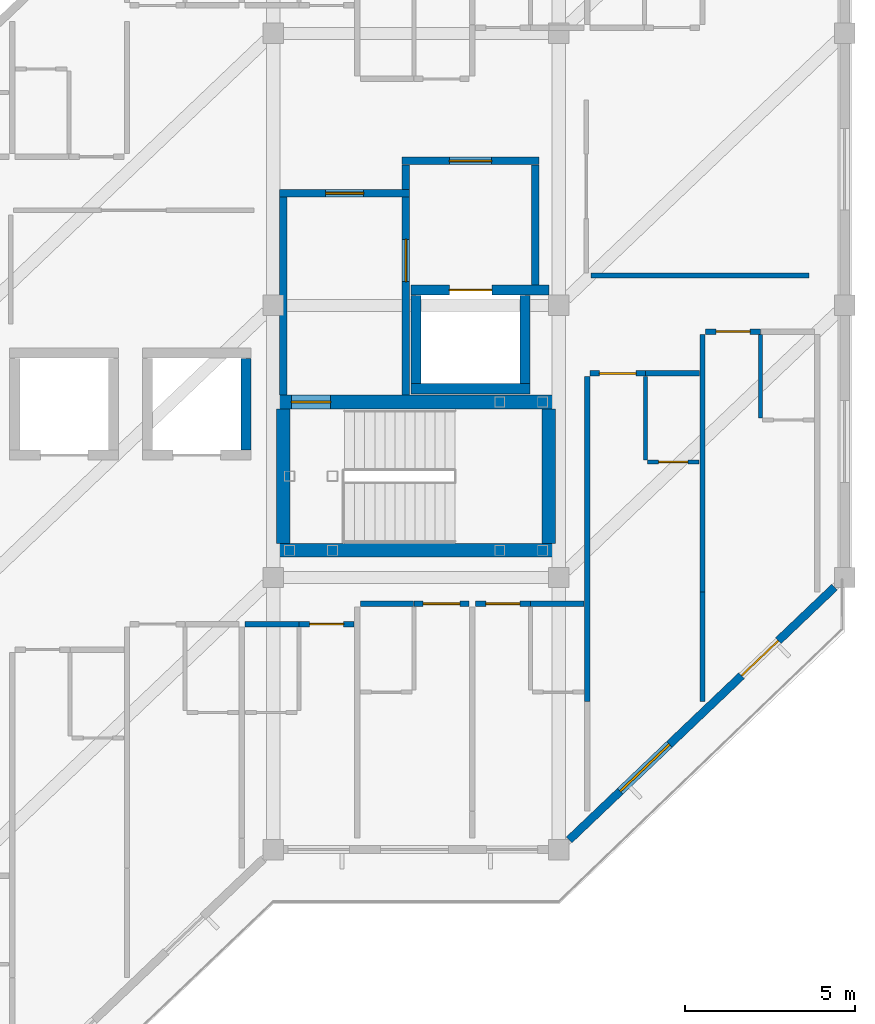
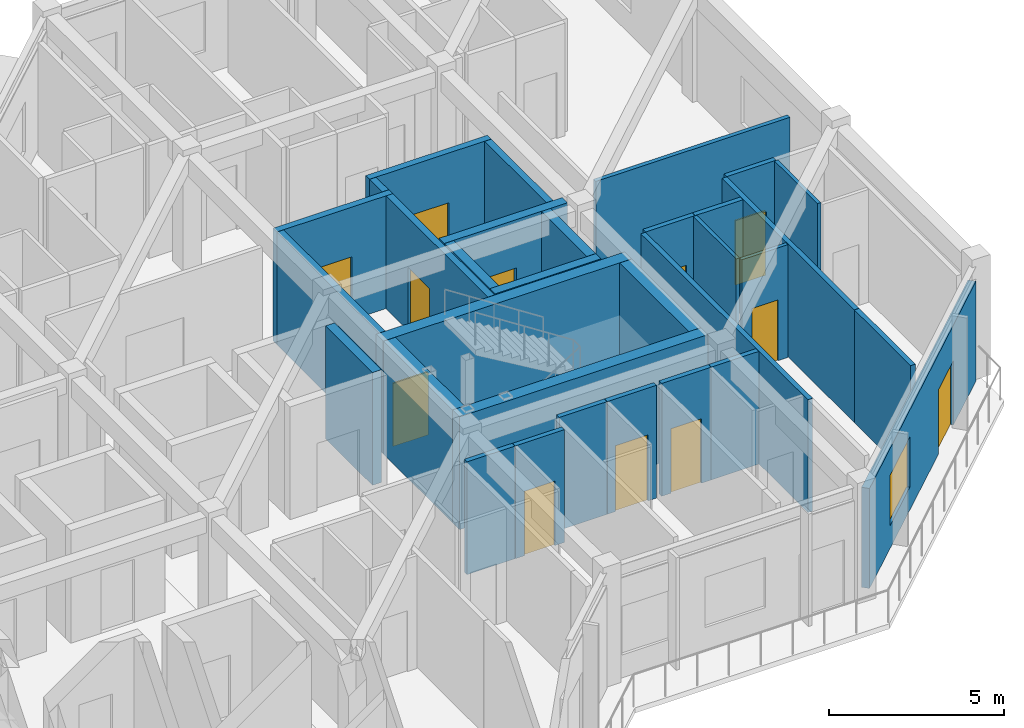
# One storey, part 8 of 13: 32 walls, 12 doors, 1 window, 13 openings.
"""IFC4 building model written with IfcOpenShell, lengths in metres."""

from ifc_helpers import new_model, si_unit, direction, frame, frame_2d, origin, place, context, subcontext, project, spatial, rectangle, extrude, material, layer, layer_set, type_object, element, fill, save


model = new_model("IFC4")

# Units and contexts
model_context = context("Model", 3, precision=1e-05, world=origin(), true_north=direction((0.0, 1.0)))
body_context = subcontext(model_context, "Body", "Model", "MODEL_VIEW")
ifc_project = project(units=[si_unit("LENGTHUNIT", "METRE"), si_unit("AREAUNIT", "SQUARE_METRE"), si_unit("VOLUMEUNIT", "CUBIC_METRE"), si_unit("PLANEANGLEUNIT", "RADIAN"), si_unit("MASSUNIT", "GRAM", prefix="KILO")], contexts=[model_context])

# Site, building, storey
site_placement = place(None, origin())
site = spatial("IfcSite", under=ifc_project, at=site_placement, CompositionType="ELEMENT")
building_placement = place(site_placement, origin())
building = spatial("IfcBuilding", under=site, at=building_placement, Name="Naruveol Harbour Congress Hotel", CompositionType="ELEMENT")
storey_placement = place(building_placement, frame((0.0, 0.0, 43.199951171875)))
storey = spatial("IfcBuildingStorey", under=building, at=storey_placement, Name="L10", CompositionType="ELEMENT", Elevation=43.199951171875)

# Walls
ifc_material_1 = material(Name="Acoustic Double Stud Gypsum", Category="gypsum")
ifc_layer_1 = layer(ifc_material_1, 0.139892578125)
ifc_layer_set_1 = layer_set([ifc_layer_1], Name="Acoustic Double Stud Gypsum")
wall_type_1 = type_object("IfcWallType", Name="ACOUSTIC MEETING PARTITION WALL 140", PredefinedType="PARTITIONING", material=ifc_layer_set_1)
wall_1_placement = place(storey_placement, frame((160.5400390625, 24.8798828125, 0.0), z_axis=(0.0, 0.0, 1.0), x_axis=(1.0, 0.0, 0.0)))
element("IfcWall", 1, at=wall_1_placement, inside=storey, type_object=wall_type_1, Name="Embassy Reception Salon south partition PW-140", PredefinedType="PARTITIONING", context=body_context, shape_type="SweptSolid", body=[
    extrude(rectangle(XDim=6.409912109375, YDim=0.139892578125, at=frame_2d((3.205078125, 0.0))), origin(), (0.0, 0.0, 1.0), 3.93505859375),
])
ifc_material_2 = material(Name="Moisture-Resistant Gypsum Partition", Category="gypsum")
ifc_layer_2 = layer(ifc_material_2, 0.114990234375)
ifc_layer_set_2 = layer_set([ifc_layer_2], Name="Moisture-Resistant Gypsum Partition")
wall_type_2 = type_object("IfcWallType", Name="BATHROOM MOISTURE PARTITION WALL 115", PredefinedType="PARTITIONING", material=ifc_layer_set_2)
wall_2_placement = place(storey_placement, frame((162.139892578125, 19.4599609375, 0.0), z_axis=(0.0, 0.0, 1.0), x_axis=(0.0, 1.0, 0.0)))
element("IfcWall", 2, at=wall_2_placement, inside=storey, type_object=wall_type_2, Name="Bathroom west wall 1191 PW-115", PredefinedType="PARTITIONING", context=body_context, shape_type="SweptSolid", body=[
    extrude(rectangle(XDim=2.449951171875, YDim=0.114990234375, at=frame_2d((1.22509765625, 0.0))), origin(), (0.0, 0.0, 1.0), 3.93505859375),
])

# Wall, opening, door
wall_3_placement = place(storey_placement, frame((162.199951171875, 19.39990234375, 0.0), z_axis=(0.0, 0.0, 1.0), x_axis=(1.0, 0.0, 0.0)))
wall_3 = element("IfcWall", 3, at=wall_3_placement, inside=storey, type_object=wall_type_2, Name="Bathroom south wall 1191 PW-115", PredefinedType="PARTITIONING", context=body_context, shape_type="SweptSolid", body=[
    extrude(rectangle(XDim=1.52001953125, YDim=0.114990234375, at=frame_2d((0.760009765625, 0.0))), origin(), (0.0, 0.0, 1.0), 3.93505859375),
])
opening_1_placement = place(wall_3_placement, frame((0.330078125, 0.0, 0.0)))
opening_1 = element("IfcOpeningElement", 4, at=opening_1_placement, cuts=wall_3, Name="Opening BD-RM1191", PredefinedType="OPENING", context=body_context, shape_type="SweptSolid", body=[
    extrude(rectangle(XDim=0.860107421875, YDim=2.1201171875, at=frame_2d((0.43017578125, 1.06005859375))), frame((0.0, 0.0673828125, 0.0), z_axis=(0.0, -1.0, 0.0), x_axis=(1.0, 0.0, 0.0)), (0.0, 0.0, 1.0), 0.135009765625),
])
ifc_material_3 = material(Name="Timber & Steel Acoustic Leaf", Category="steel")
door_type_1 = type_object("IfcDoorType", Name="GUEST BATHROOM DOOR 860X2120", OperationType="NOTDEFINED", PredefinedType="DOOR", material=ifc_material_3)
door_1_placement = place(opening_1_placement, origin())
door_1 = element("IfcDoor", 5, at=door_1_placement, inside=storey, type_object=door_type_1, Name="Bathroom Door 1191", OperationType="SINGLE_SWING_RIGHT", OverallHeight=2.1201171875, OverallWidth=0.860107421875, PredefinedType="DOOR", context=body_context, shape_type="SweptSolid", body=[
    extrude(rectangle(XDim=0.860107421875, YDim=2.1201171875, at=frame_2d((0.43017578125, 1.06005859375))), frame((0.0, 0.02490234375, 0.0), z_axis=(0.0, -1.0, 0.0), x_axis=(1.0, 0.0, 0.0)), (0.0, 0.0, 1.0), 0.050048828125),
])
fill(opening_1, door_1)

# Walls
wall_4_placement = place(storey_placement, frame((165.530029296875, 20.68994140625, 0.0), z_axis=(0.0, 0.0, 1.0), x_axis=(0.0, 1.0, 0.0)))
element("IfcWall", 6, at=wall_4_placement, inside=storey, type_object=wall_type_2, Name="Bathroom west wall 1192 PW-115", PredefinedType="PARTITIONING", context=body_context, shape_type="SweptSolid", body=[
    extrude(rectangle(XDim=2.449951171875, YDim=0.114990234375, at=frame_2d((1.22509765625, 0.0))), origin(), (0.0, 0.0, 1.0), 3.93505859375),
])
ifc_material_4 = material(Name="Concrete C40/50", Category="concrete")
ifc_layer_3 = layer(ifc_material_4, 0.219970703125)
ifc_layer_set_3 = layer_set([ifc_layer_3], Name="Concrete C40/50")
wall_type_3 = type_object("IfcWallType", Name="FIRE COMPARTMENT AND LOBBY WALL 220 EI120", PredefinedType="PARTITIONING", material=ifc_layer_set_3)
wall_5_placement = place(storey_placement, frame((151.5, 21.364990234375, 0.0), z_axis=(0.0, 0.0, 1.0), x_axis=(0.0, 1.0, 0.0)))
element("IfcWall", 7, at=wall_5_placement, inside=storey, type_object=wall_type_3, Name="Smoke vestibule ST2 west wall FW-220", PredefinedType="PARTITIONING", context=body_context, shape_type="SweptSolid", body=[
    extrude(rectangle(XDim=5.820068359375, YDim=0.219970703125, at=frame_2d((2.91015625, 0.0))), origin(), (0.0, 0.0, 1.0), 3.93505859375),
])

# Wall, opening, door
wall_6_placement = place(storey_placement, frame((151.389892578125, 27.300048828125, 0.0), z_axis=(0.0, 0.0, 1.0), x_axis=(1.0, 0.0, 0.0)))
wall_6 = element("IfcWall", 8, at=wall_6_placement, inside=storey, type_object=wall_type_3, Name="Smoke vestibule ST2 north wall FW-220", PredefinedType="PARTITIONING", context=body_context, shape_type="SweptSolid", body=[
    extrude(rectangle(XDim=3.820068359375, YDim=0.219970703125, at=frame_2d((1.91015625, 0.0))), origin(), (0.0, 0.0, 1.0), 3.93505859375),
])
opening_2_placement = place(wall_6_placement, frame((1.35009765625, 0.0, 0.0)))
opening_2 = element("IfcOpeningElement", 9, at=opening_2_placement, cuts=wall_6, Name="Opening FD-ST2-V-L10", PredefinedType="OPENING", context=body_context, shape_type="SweptSolid", body=[
    extrude(rectangle(XDim=1.1201171875, YDim=2.199951171875, at=frame_2d((0.56005859375, 1.10009765625))), frame((0.0, 0.119873046875, 0.0), z_axis=(0.0, -1.0, 0.0), x_axis=(1.0, 0.0, 0.0)), (0.0, 0.0, 1.0), 0.239990234375),
])
ifc_material_5 = material(Name="Timber & Steel Acoustic Leaf", Category="steel")
door_type_2 = type_object("IfcDoorType", Name="VESTIBULE SMOKE CONTROL FIRE DOOR 1120X2200", OperationType="NOTDEFINED", PredefinedType="DOOR", material=ifc_material_5)
door_2_placement = place(opening_2_placement, origin())
door_2 = element("IfcDoor", 10, at=door_2_placement, inside=storey, type_object=door_type_2, Name="Smoke Vestibule Entry Door ST2 L10", OperationType="SINGLE_SWING_LEFT", OverallHeight=2.199951171875, OverallWidth=1.1201171875, PredefinedType="DOOR", context=body_context, shape_type="SweptSolid", body=[
    extrude(rectangle(XDim=1.1201171875, YDim=2.199951171875, at=frame_2d((0.56005859375, 1.10009765625))), frame((0.0, 0.02490234375, 0.0), z_axis=(0.0, -1.0, 0.0), x_axis=(1.0, 0.0, 0.0)), (0.0, 0.0, 1.0), 0.050048828125),
])
fill(opening_2, door_2)

wall_7_placement = place(storey_placement, frame((155.10009765625, 21.364990234375, 0.0), z_axis=(0.0, 0.0, 1.0), x_axis=(0.0, 1.0, 0.0)))
wall_7 = element("IfcWall", 11, at=wall_7_placement, inside=storey, type_object=wall_type_3, Name="Smoke vestibule ST2 east wall FW-220", PredefinedType="PARTITIONING", context=body_context, shape_type="SweptSolid", body=[
    extrude(rectangle(XDim=5.820068359375, YDim=0.219970703125, at=frame_2d((2.91015625, 0.0))), origin(), (0.0, 0.0, 1.0), 3.93505859375),
])
opening_3_placement = place(wall_7_placement, frame((3.3349609375, 0.0, 0.0)))
opening_3 = element("IfcOpeningElement", 12, at=opening_3_placement, cuts=wall_7, Name="Opening FD-FFL-ST2-L10", PredefinedType="OPENING", context=body_context, shape_type="SweptSolid", body=[
    extrude(rectangle(XDim=1.239990234375, YDim=2.199951171875, at=frame_2d((0.6201171875, 1.10009765625))), frame((0.0, 0.119873046875, 0.0), z_axis=(0.0, -1.0, 0.0), x_axis=(1.0, 0.0, 0.0)), (0.0, 0.0, 1.0), 0.239990234375),
])
ifc_material_6 = material(Name="Timber & Steel Acoustic Leaf", Category="steel")
door_type_3 = type_object("IfcDoorType", Name="FIREFIGHTING LOBBY FIRE DOOR 1240X2200", OperationType="NOTDEFINED", PredefinedType="DOOR", material=ifc_material_6)
door_3_placement = place(opening_3_placement, origin())
door_3 = element("IfcDoor", 13, at=door_3_placement, inside=storey, type_object=door_type_3, Name="Firefighting Lobby Vestibule Door ST2 L10", OperationType="SINGLE_SWING_RIGHT", OverallHeight=2.199951171875, OverallWidth=1.239990234375, PredefinedType="DOOR", context=body_context, shape_type="SweptSolid", body=[
    extrude(rectangle(XDim=1.239990234375, YDim=2.199951171875, at=frame_2d((0.6201171875, 1.10009765625))), frame((0.0, 0.02490234375, 0.0), z_axis=(0.0, -1.0, 0.0), x_axis=(1.0, 0.0, 0.0)), (0.0, 0.0, 1.0), 0.050048828125),
])
fill(opening_3, door_3)

# Walls
wall_8_placement = place(storey_placement, frame((155.10009765625, 27.4150390625, 0.0), z_axis=(0.0, 0.0, 1.0), x_axis=(0.0, 1.0, 0.0)))
element("IfcWall", 14, at=wall_8_placement, inside=storey, type_object=wall_type_3, Name="Firefighting lift lobby ST2 upper west wall FW-220", PredefinedType="PARTITIONING", context=body_context, shape_type="SweptSolid", body=[
    extrude(rectangle(XDim=0.719970703125, YDim=0.219970703125, at=frame_2d((0.35986328125, 0.0))), origin(), (0.0, 0.0, 1.0), 3.93505859375),
])
wall_9_placement = place(storey_placement, frame((158.89990234375, 24.60498046875, 0.0), z_axis=(0.0, 0.0, 1.0), x_axis=(0.0, 1.0, 0.0)))
element("IfcWall", 15, at=wall_9_placement, inside=storey, type_object=wall_type_3, Name="Firefighting lift lobby ST2 east wall FW-220", PredefinedType="PARTITIONING", context=body_context, shape_type="SweptSolid", body=[
    extrude(rectangle(XDim=3.530029296875, YDim=0.219970703125, at=frame_2d((1.76513671875, 0.0))), origin(), (0.0, 0.0, 1.0), 3.93505859375),
])

# Wall, opening, door
wall_10_placement = place(storey_placement, frame((154.989990234375, 28.25, 0.0), z_axis=(0.0, 0.0, 1.0), x_axis=(1.0, 0.0, 0.0)))
wall_10 = element("IfcWall", 16, at=wall_10_placement, inside=storey, type_object=wall_type_3, Name="Firefighting lift lobby ST2 north wall FW-220", PredefinedType="PARTITIONING", context=body_context, shape_type="SweptSolid", body=[
    extrude(rectangle(XDim=4.02001953125, YDim=0.219970703125, at=frame_2d((2.010009765625, 0.0))), origin(), (0.0, 0.0, 1.0), 3.93505859375),
])
opening_4_placement = place(wall_10_placement, frame((1.389892578125, 0.0, 0.0)))
opening_4 = element("IfcOpeningElement", 17, at=opening_4_placement, cuts=wall_10, Name="Opening FD-FFC-ST2-L10", PredefinedType="OPENING", context=body_context, shape_type="SweptSolid", body=[
    extrude(rectangle(XDim=1.239990234375, YDim=2.199951171875, at=frame_2d((0.6201171875, 1.10009765625))), frame((0.0, 0.119873046875, 0.0), z_axis=(0.0, -1.0, 0.0), x_axis=(1.0, 0.0, 0.0)), (0.0, 0.0, 1.0), 0.239990234375),
])
door_4_placement = place(opening_4_placement, origin())
door_4 = element("IfcDoor", 18, at=door_4_placement, inside=storey, type_object=door_type_3, Name="Firefighting Lobby Corridor Door ST2 L10", OperationType="SINGLE_SWING_LEFT", OverallHeight=2.199951171875, OverallWidth=1.239990234375, PredefinedType="DOOR", context=body_context, shape_type="SweptSolid", body=[
    extrude(rectangle(XDim=1.239990234375, YDim=2.199951171875, at=frame_2d((0.6201171875, 1.10009765625))), frame((0.0, 0.02490234375, 0.0), z_axis=(0.0, -1.0, 0.0), x_axis=(1.0, 0.0, 0.0)), (0.0, 0.0, 1.0), 0.050048828125),
])
fill(opening_4, door_4)

# Wall
ifc_material_7 = material(Name="Autoclaved Aerated Concrete Block", Category="concrete")
ifc_layer_4 = layer(ifc_material_7, 0.159912109375)
ifc_layer_set_4 = layer_set([ifc_layer_4], Name="Autoclaved Aerated Concrete Block")
wall_type_4 = type_object("IfcWallType", Name="HOTEL PARTY AND CORRIDOR WALL 160 EI60", PredefinedType="PARTITIONING", material=ifc_layer_set_4)
wall_11_placement = place(storey_placement, frame((150.3701171875, 14.6298828125, 0.0), z_axis=(0.0, 0.0, 1.0), x_axis=(1.0, 0.0, 0.0)))
element("IfcWall", 19, at=wall_11_placement, inside=storey, type_object=wall_type_4, Name="Corridor wall 1188B PW-160", PredefinedType="PARTITIONING", context=body_context, shape_type="SweptSolid", body=[
    extrude(rectangle(XDim=1.579833984375, YDim=0.159912109375, at=frame_2d((0.7900390625, 0.0))), origin(), (0.0, 0.0, 1.0), 3.93505859375),
])

# Wall, opening, door
wall_12_placement = place(storey_placement, frame((151.9599609375, 14.6298828125, 0.0), z_axis=(0.0, 0.0, 1.0), x_axis=(1.0, 0.0, 0.0)))
wall_12 = element("IfcWall", 20, at=wall_12_placement, inside=storey, type_object=wall_type_4, Name="Corridor entry wall 1188 PW-160", PredefinedType="PARTITIONING", context=body_context, shape_type="SweptSolid", body=[
    extrude(rectangle(XDim=1.6201171875, YDim=0.159912109375, at=frame_2d((0.81005859375, 0.0))), origin(), (0.0, 0.0, 1.0), 3.93505859375),
])
opening_5_placement = place(wall_12_placement, frame((0.31005859375, 0.0, 0.0)))
opening_5 = element("IfcOpeningElement", 21, at=opening_5_placement, cuts=wall_12, Name="Opening FD-RM1188", PredefinedType="OPENING", context=body_context, shape_type="SweptSolid", body=[
    extrude(rectangle(XDim=1.0, YDim=2.25, at=frame_2d((0.5, 1.125))), frame((0.0, 0.08984375, 0.0), z_axis=(0.0, -1.0, 0.0), x_axis=(1.0, 0.0, 0.0)), (0.0, 0.0, 1.0), 0.179931640625),
])
ifc_material_8 = material(Name="Timber & Steel Acoustic Leaf", Category="steel")
door_type_4 = type_object("IfcDoorType", Name="DELUXE GUEST ENTRANCE FIRE DOOR 1000X2250", OperationType="NOTDEFINED", PredefinedType="DOOR", material=ifc_material_8)
door_5_placement = place(opening_5_placement, origin())
door_5 = element("IfcDoor", 22, at=door_5_placement, inside=storey, type_object=door_type_4, Name="Hotel Room Door 1188", OperationType="SINGLE_SWING_LEFT", OverallHeight=2.25, OverallWidth=1.0, PredefinedType="DOOR", context=body_context, shape_type="SweptSolid", body=[
    extrude(rectangle(XDim=1.0, YDim=2.25, at=frame_2d((0.5, 1.125))), frame((0.0, 0.02490234375, 0.0), z_axis=(0.0, -1.0, 0.0), x_axis=(1.0, 0.0, 0.0)), (0.0, 0.0, 1.0), 0.050048828125),
])
fill(opening_5, door_5)

# Wall
wall_13_placement = place(storey_placement, frame((153.760009765625, 15.22998046875, 0.0), z_axis=(0.0, 0.0, 1.0), x_axis=(1.0, 0.0, 0.0)))
element("IfcWall", 23, at=wall_13_placement, inside=storey, type_object=wall_type_4, Name="Corridor wall 1189B PW-160", PredefinedType="PARTITIONING", context=body_context, shape_type="SweptSolid", body=[
    extrude(rectangle(XDim=1.570068359375, YDim=0.159912109375, at=frame_2d((0.78515625, 0.0))), origin(), (0.0, 0.0, 1.0), 3.93505859375),
])

# Wall, opening, door
wall_14_placement = place(storey_placement, frame((155.340087890625, 15.22998046875, 0.0), z_axis=(0.0, 0.0, 1.0), x_axis=(1.0, 0.0, 0.0)))
wall_14 = element("IfcWall", 24, at=wall_14_placement, inside=storey, type_object=wall_type_4, Name="Corridor entry wall 1189 PW-160", PredefinedType="PARTITIONING", context=body_context, shape_type="SweptSolid", body=[
    extrude(rectangle(XDim=1.619873046875, YDim=0.159912109375, at=frame_2d((0.81005859375, 0.0))), origin(), (0.0, 0.0, 1.0), 3.93505859375),
])
opening_6_placement = place(wall_14_placement, frame((0.27001953125, 0.0, 0.0)))
opening_6 = element("IfcOpeningElement", 25, at=opening_6_placement, cuts=wall_14, Name="Opening FD-RM1189", PredefinedType="OPENING", context=body_context, shape_type="SweptSolid", body=[
    extrude(rectangle(XDim=1.080078125, YDim=2.300048828125, at=frame_2d((0.5400390625, 1.14990234375))), frame((0.0, 0.08984375, 0.0), z_axis=(0.0, -1.0, 0.0), x_axis=(1.0, 0.0, 0.0)), (0.0, 0.0, 1.0), 0.179931640625),
])
ifc_material_9 = material(Name="Timber & Steel Acoustic Leaf", Category="steel")
door_type_5 = type_object("IfcDoorType", Name="SUITE ENTRANCE FIRE DOOR 1080X2300", OperationType="NOTDEFINED", PredefinedType="DOOR", material=ifc_material_9)
door_6_placement = place(opening_6_placement, origin())
door_6 = element("IfcDoor", 26, at=door_6_placement, inside=storey, type_object=door_type_5, Name="Hotel Room Door 1189", OperationType="SINGLE_SWING_LEFT", OverallHeight=2.300048828125, OverallWidth=1.080078125, PredefinedType="DOOR", context=body_context, shape_type="SweptSolid", body=[
    extrude(rectangle(XDim=1.080078125, YDim=2.300048828125, at=frame_2d((0.5400390625, 1.14990234375))), frame((0.0, 0.02490234375, 0.0), z_axis=(0.0, -1.0, 0.0), x_axis=(1.0, 0.0, 0.0)), (0.0, 0.0, 1.0), 0.050048828125),
])
fill(opening_6, door_6)

wall_15_placement = place(storey_placement, frame((157.139892578125, 15.22998046875, 0.0), z_axis=(0.0, 0.0, 1.0), x_axis=(1.0, 0.0, 0.0)))
wall_15 = element("IfcWall", 27, at=wall_15_placement, inside=storey, type_object=wall_type_4, Name="Corridor entry wall 1190 PW-160", PredefinedType="PARTITIONING", context=body_context, shape_type="SweptSolid", body=[
    extrude(rectangle(XDim=1.6201171875, YDim=0.159912109375, at=frame_2d((0.81005859375, 0.0))), origin(), (0.0, 0.0, 1.0), 3.93505859375),
])
opening_7_placement = place(wall_15_placement, frame((0.31005859375, 0.0, 0.0)))
opening_7 = element("IfcOpeningElement", 28, at=opening_7_placement, cuts=wall_15, Name="Opening FD-RM1190", PredefinedType="OPENING", context=body_context, shape_type="SweptSolid", body=[
    extrude(rectangle(XDim=1.0, YDim=2.25, at=frame_2d((0.5, 1.125))), frame((0.0, 0.08984375, 0.0), z_axis=(0.0, -1.0, 0.0), x_axis=(1.0, 0.0, 0.0)), (0.0, 0.0, 1.0), 0.179931640625),
])
door_7_placement = place(opening_7_placement, origin())
door_7 = element("IfcDoor", 29, at=door_7_placement, inside=storey, type_object=door_type_4, Name="Hotel Room Door 1190", OperationType="SINGLE_SWING_LEFT", OverallHeight=2.25, OverallWidth=1.0, PredefinedType="DOOR", context=body_context, shape_type="SweptSolid", body=[
    extrude(rectangle(XDim=1.0, YDim=2.25, at=frame_2d((0.5, 1.125))), frame((0.0, 0.02490234375, 0.0), z_axis=(0.0, -1.0, 0.0), x_axis=(1.0, 0.0, 0.0)), (0.0, 0.0, 1.0), 0.050048828125),
])
fill(opening_7, door_7)

# Wall
wall_16_placement = place(storey_placement, frame((158.77001953125, 15.22998046875, 0.0), z_axis=(0.0, 0.0, 1.0), x_axis=(1.0, 0.0, 0.0)))
element("IfcWall", 30, at=wall_16_placement, inside=storey, type_object=wall_type_4, Name="Corridor wall 1190B PW-160", PredefinedType="PARTITIONING", context=body_context, shape_type="SweptSolid", body=[
    extrude(rectangle(XDim=1.570068359375, YDim=0.159912109375, at=frame_2d((0.78515625, 0.0))), origin(), (0.0, 0.0, 1.0), 3.93505859375),
])

# Wall, opening, door
wall_17_placement = place(storey_placement, frame((160.52001953125, 22.0, 0.0), z_axis=(0.0, 0.0, 1.0), x_axis=(1.0, 0.0, 0.0)))
wall_17 = element("IfcWall", 31, at=wall_17_placement, inside=storey, type_object=wall_type_4, Name="Corridor entry wall 1191 PW-160", PredefinedType="PARTITIONING", context=body_context, shape_type="SweptSolid", body=[
    extrude(rectangle(XDim=1.619873046875, YDim=0.159912109375, at=frame_2d((0.81005859375, 0.0))), origin(), (0.0, 0.0, 1.0), 3.93505859375),
])
opening_8_placement = place(wall_17_placement, frame((0.27001953125, 0.0, 0.0)))
opening_8 = element("IfcOpeningElement", 32, at=opening_8_placement, cuts=wall_17, Name="Opening FD-RM1191", PredefinedType="OPENING", context=body_context, shape_type="SweptSolid", body=[
    extrude(rectangle(XDim=1.080078125, YDim=2.300048828125, at=frame_2d((0.5400390625, 1.14990234375))), frame((0.0, 0.08984375, 0.0), z_axis=(0.0, -1.0, 0.0), x_axis=(1.0, 0.0, 0.0)), (0.0, 0.0, 1.0), 0.179931640625),
])
door_8_placement = place(opening_8_placement, origin())
door_8 = element("IfcDoor", 33, at=door_8_placement, inside=storey, type_object=door_type_5, Name="Hotel Room Door 1191", OperationType="SINGLE_SWING_LEFT", OverallHeight=2.300048828125, OverallWidth=1.080078125, PredefinedType="DOOR", context=body_context, shape_type="SweptSolid", body=[
    extrude(rectangle(XDim=1.080078125, YDim=2.300048828125, at=frame_2d((0.5400390625, 1.14990234375))), frame((0.0, 0.02490234375, 0.0), z_axis=(0.0, -1.0, 0.0), x_axis=(1.0, 0.0, 0.0)), (0.0, 0.0, 1.0), 0.050048828125),
])
fill(opening_8, door_8)

# Walls
wall_18_placement = place(storey_placement, frame((162.14990234375, 22.0, 0.0), z_axis=(0.0, 0.0, 1.0), x_axis=(1.0, 0.0, 0.0)))
element("IfcWall", 34, at=wall_18_placement, inside=storey, type_object=wall_type_4, Name="Corridor wall 1191B PW-160", PredefinedType="PARTITIONING", context=body_context, shape_type="SweptSolid", body=[
    extrude(rectangle(XDim=1.580078125, YDim=0.159912109375, at=frame_2d((0.7900390625, 0.0))), origin(), (0.0, 0.0, 1.0), 3.93505859375),
])
wall_19_placement = place(storey_placement, frame((160.429931640625, 12.360107421875, 0.0), z_axis=(0.0, 0.0, 1.0), x_axis=(0.0, 1.0, 0.0)))
element("IfcWall", 35, at=wall_19_placement, inside=storey, type_object=wall_type_4, Name="Hotel party wall 1191 PW-160", PredefinedType="PARTITIONING", context=body_context, shape_type="SweptSolid", body=[
    extrude(rectangle(XDim=9.5498046875, YDim=0.159912109375, at=frame_2d((4.77490234375, 0.0))), origin(), (0.0, 0.0, 1.0), 3.93505859375),
])
wall_20_placement = place(storey_placement, frame((163.820068359375, 12.360107421875, 0.0), z_axis=(0.0, 0.0, 1.0), x_axis=(0.0, 1.0, 0.0)))
element("IfcWall", 36, at=wall_20_placement, inside=storey, type_object=wall_type_4, Name="Hotel end party wall 1191 PW-160", PredefinedType="PARTITIONING", context=body_context, shape_type="SweptSolid", body=[
    extrude(rectangle(XDim=3.2099609375, YDim=0.159912109375, at=frame_2d((1.60498046875, 0.0))), origin(), (0.0, 0.0, 1.0), 3.93505859375),
])

# Wall, opening, door
wall_21_placement = place(storey_placement, frame((163.909912109375, 23.22998046875, 0.0), z_axis=(0.0, 0.0, 1.0), x_axis=(1.0, 0.0, 0.0)))
wall_21 = element("IfcWall", 37, at=wall_21_placement, inside=storey, type_object=wall_type_4, Name="Corridor entry wall 1192 PW-160", PredefinedType="PARTITIONING", context=body_context, shape_type="SweptSolid", body=[
    extrude(rectangle(XDim=1.6201171875, YDim=0.159912109375, at=frame_2d((0.81005859375, 0.0))), origin(), (0.0, 0.0, 1.0), 3.93505859375),
])
opening_9_placement = place(wall_21_placement, frame((0.31005859375, 0.0, 0.0)))
opening_9 = element("IfcOpeningElement", 38, at=opening_9_placement, cuts=wall_21, Name="Opening FD-RM1192", PredefinedType="OPENING", context=body_context, shape_type="SweptSolid", body=[
    extrude(rectangle(XDim=1.0, YDim=2.25, at=frame_2d((0.5, 1.125))), frame((0.0, 0.08984375, 0.0), z_axis=(0.0, -1.0, 0.0), x_axis=(1.0, 0.0, 0.0)), (0.0, 0.0, 1.0), 0.179931640625),
])
door_9_placement = place(opening_9_placement, origin())
door_9 = element("IfcDoor", 39, at=door_9_placement, inside=storey, type_object=door_type_4, Name="Hotel Room Door 1192", OperationType="SINGLE_SWING_LEFT", OverallHeight=2.25, OverallWidth=1.0, PredefinedType="DOOR", context=body_context, shape_type="SweptSolid", body=[
    extrude(rectangle(XDim=1.0, YDim=2.25, at=frame_2d((0.5, 1.125))), frame((0.0, 0.02490234375, 0.0), z_axis=(0.0, -1.0, 0.0), x_axis=(1.0, 0.0, 0.0)), (0.0, 0.0, 1.0), 0.050048828125),
])
fill(opening_9, door_9)

# Wall
wall_22_placement = place(storey_placement, frame((163.820068359375, 15.580078125, 0.0), z_axis=(0.0, 0.0, 1.0), x_axis=(0.0, 1.0, 0.0)))
element("IfcWall", 40, at=wall_22_placement, inside=storey, type_object=wall_type_4, Name="Hotel party wall 1192 PW-160", PredefinedType="PARTITIONING", context=body_context, shape_type="SweptSolid", body=[
    extrude(rectangle(XDim=7.559814453125, YDim=0.159912109375, at=frame_2d((3.77978515625, 0.0))), origin(), (0.0, 0.0, 1.0), 3.93505859375),
])

# Wall, openings, window, door
ifc_material_10 = material(Name="Concrete C40/50", Category="concrete")
ifc_layer_5 = layer(ifc_material_10, 0.239990234375)
ifc_layer_set_5 = layer_set([ifc_layer_5], Name="Concrete C40/50")
wall_type_5 = type_object("IfcWallType", Name="INSULATED HOTEL SPANDREL WALL 240", PredefinedType="SOLIDWALL", material=ifc_layer_set_5)
wall_23_placement = place(storey_placement, frame((167.699951171875, 15.714111328125, 0.0), z_axis=(0.0, 0.0, 1.0), x_axis=(-0.724156257633, -0.689635928973, 0.0)))
wall_23 = element("IfcWall", 41, at=wall_23_placement, inside=storey, type_object=wall_type_5, Name="Hotel south waterfront wall L10 EW-240", PredefinedType="SOLIDWALL", context=body_context, shape_type="SweptSolid", body=[
    extrude(rectangle(XDim=10.771240234375, YDim=0.239990234375, at=frame_2d((5.3857421875, 0.0))), origin(), (0.0, 0.0, 1.0), 3.489990234375),
])
opening_10_placement = place(wall_23_placement, frame((2.27392578125, 0.0, 0.0)))
opening_10 = element("IfcOpeningElement", 42, at=opening_10_placement, cuts=wall_23, Name="Opening BD-150-077", PredefinedType="OPENING", context=body_context, shape_type="SweptSolid", body=[
    extrude(rectangle(XDim=1.5, YDim=2.25, at=frame_2d((0.75, 1.125))), frame((0.0, 0.1298828125, 0.0), z_axis=(0.0, -1.0, 0.0), x_axis=(1.0, 0.0, 0.0)), (0.0, 0.0, 1.0), 0.260009765625),
])
opening_11_placement = place(wall_23_placement, frame((6.698974609375, 0.0, 0.800048828125)))
opening_11 = element("IfcOpeningElement", 43, at=opening_11_placement, cuts=wall_23, Name="Opening W-05", PredefinedType="OPENING", context=body_context, shape_type="SweptSolid", body=[
    extrude(rectangle(XDim=2.0, YDim=1.75, at=frame_2d((1.0, 0.875))), frame((0.0, 0.1298828125, 0.0), z_axis=(0.0, -1.0, 0.0), x_axis=(1.0, 0.0, 0.0)), (0.0, 0.0, 1.0), 0.260009765625),
])
ifc_material_11 = material(Name="Low-E Triple Glazing in Thermal Aluminium", Category="aluminium")
window_type = type_object("IfcWindowType", Name="GARDEN SUITE WINDOW 2000X1750", PartitioningType="DOUBLE_PANEL_VERTICAL", PredefinedType="WINDOW", material=ifc_material_11)
window_placement = place(opening_11_placement, origin())
window = element("IfcWindow", 44, at=window_placement, inside=storey, type_object=window_type, Name="Window W-05 #495", OverallHeight=1.75, OverallWidth=2.0, PartitioningType="DOUBLE_PANEL_VERTICAL", PredefinedType="WINDOW", context=body_context, shape_type="SweptSolid", body=[
    extrude(rectangle(XDim=2.0, YDim=1.75, at=frame_2d((1.0, 0.875))), frame((0.0, 0.030029296875, 0.0), z_axis=(0.0, -1.0, 0.0), x_axis=(1.0, 0.0, 0.0)), (0.0, 0.0, 1.0), 0.06005859375),
])
fill(opening_11, window)
ifc_material_12 = material(Name="Powder-Coated Steel & Insulated Glazing", Category="steel")
door_type_6 = type_object("IfcDoorType", Name="SUITE BALCONY SLIDING DOOR 1500X2250", OperationType="SLIDING_TO_LEFT", PredefinedType="DOOR", material=ifc_material_12)
door_10_placement = place(opening_10_placement, origin())
door_10 = element("IfcDoor", 45, at=door_10_placement, inside=storey, type_object=door_type_6, Name="Exterior door BD-150-077", OperationType="SLIDING_TO_LEFT", OverallHeight=2.25, OverallWidth=1.5, PredefinedType="DOOR", context=body_context, shape_type="SweptSolid", body=[
    extrude(rectangle(XDim=1.5, YDim=2.25, at=frame_2d((0.75, 1.125))), frame((0.0, 0.02490234375, 0.0), z_axis=(0.0, -1.0, 0.0), x_axis=(1.0, 0.0, 0.0)), (0.0, 0.0, 1.0), 0.050048828125),
])
fill(opening_10, door_10)

# Walls
ifc_material_13 = material(Name="Concrete C50/60", Category="concrete")
ifc_layer_6 = layer(ifc_material_13, 0.39990234375)
ifc_layer_set_6 = layer_set([ifc_layer_6], Name="Concrete C50/60")
wall_type_6 = type_object("IfcWallType", Name="RC CORE SHEAR WALL 400 EI120", PredefinedType="SHEAR", material=ifc_layer_set_6)
wall_24_placement = place(storey_placement, frame((151.300048828125, 16.800048828125, 0.0), z_axis=(0.0, 0.0, 1.0), x_axis=(1.0, 0.0, 0.0)))
element("IfcWall", 46, at=wall_24_placement, inside=storey, type_object=wall_type_6, Name="Stair ST2 south core wall CW-400", PredefinedType="SHEAR", context=body_context, shape_type="SweptSolid", body=[
    extrude(rectangle(XDim=8.199951171875, YDim=0.39990234375, at=frame_2d((4.10009765625, 0.0))), origin(), (0.0, 0.0, 1.0), 3.93505859375),
])
wall_25_placement = place(storey_placement, frame((159.300048828125, 17.0048828125, 0.0), z_axis=(0.0, 0.0, 1.0), x_axis=(0.0, 1.0, 0.0)))
element("IfcWall", 47, at=wall_25_placement, inside=storey, type_object=wall_type_6, Name="Stair ST2 east core wall CW-400", PredefinedType="SHEAR", context=body_context, shape_type="SweptSolid", body=[
    extrude(rectangle(XDim=3.9501953125, YDim=0.39990234375, at=frame_2d((1.97509765625, 0.0))), origin(), (0.0, 0.0, 1.0), 3.93505859375),
])

# Wall, opening, door
wall_26_placement = place(storey_placement, frame((151.300048828125, 21.159912109375, 0.0), z_axis=(0.0, 0.0, 1.0), x_axis=(1.0, 0.0, 0.0)))
wall_26 = element("IfcWall", 48, at=wall_26_placement, inside=storey, type_object=wall_type_6, Name="Stair ST2 north core wall CW-400", PredefinedType="SHEAR", context=body_context, shape_type="SweptSolid", body=[
    extrude(rectangle(XDim=8.199951171875, YDim=0.39990234375, at=frame_2d((4.10009765625, 0.0))), origin(), (0.0, 0.0, 1.0), 3.93505859375),
])
opening_12_placement = place(wall_26_placement, frame((0.429931640625, 0.0, 0.0)))
opening_12 = element("IfcOpeningElement", 49, at=opening_12_placement, cuts=wall_26, Name="Opening FD-ST2-S-L10", PredefinedType="OPENING", context=body_context, shape_type="SweptSolid", body=[
    extrude(rectangle(XDim=1.159912109375, YDim=2.199951171875, at=frame_2d((0.580078125, 1.10009765625))), frame((0.0, 0.2099609375, 0.0), z_axis=(0.0, -1.0, 0.0), x_axis=(1.0, 0.0, 0.0)), (0.0, 0.0, 1.0), 0.419921875),
])
ifc_material_14 = material(Name="Timber & Steel Acoustic Leaf", Category="steel")
door_type_7 = type_object("IfcDoorType", Name="SPECIAL ESCAPE STAIR FIRE DOOR 1160X2200", OperationType="NOTDEFINED", PredefinedType="DOOR", material=ifc_material_14)
door_11_placement = place(opening_12_placement, origin())
door_11 = element("IfcDoor", 50, at=door_11_placement, inside=storey, type_object=door_type_7, Name="Special Escape Stair Door ST2 L10", OperationType="SINGLE_SWING_RIGHT", OverallHeight=2.199951171875, OverallWidth=1.159912109375, PredefinedType="DOOR", context=body_context, shape_type="SweptSolid", body=[
    extrude(rectangle(XDim=1.159912109375, YDim=2.199951171875, at=frame_2d((0.580078125, 1.10009765625))), frame((0.0, 0.02490234375, 0.0), z_axis=(0.0, -1.0, 0.0), x_axis=(1.0, 0.0, 0.0)), (0.0, 0.0, 1.0), 0.050048828125),
])
fill(opening_12, door_11)

# Walls
wall_27_placement = place(storey_placement, frame((151.5, 17.0048828125, 0.0), z_axis=(0.0, 0.0, 1.0), x_axis=(0.0, 1.0, 0.0)))
element("IfcWall", 51, at=wall_27_placement, inside=storey, type_object=wall_type_6, Name="Stair ST2 west core wall CW-400", PredefinedType="SHEAR", context=body_context, shape_type="SweptSolid", body=[
    extrude(rectangle(XDim=3.9501953125, YDim=0.39990234375, at=frame_2d((1.97509765625, 0.0))), origin(), (0.0, 0.0, 1.0), 3.93505859375),
])
ifc_material_15 = material(Name="Concrete C50/60", Category="concrete")
ifc_layer_7 = layer(ifc_material_15, 0.300048828125)
ifc_layer_set_7 = layer_set([ifc_layer_7], Name="Concrete C50/60")
wall_type_7 = type_object("IfcWallType", Name="RC STAIR AND HOISTWAY SHEAR WALL 300 EI120", PredefinedType="SHEAR", material=ifc_layer_set_7)
wall_28_placement = place(storey_placement, frame((155.25, 21.550048828125, 0.0), z_axis=(0.0, 0.0, 1.0), x_axis=(1.0, 0.0, 0.0)))
element("IfcWall", 52, at=wall_28_placement, inside=storey, type_object=wall_type_7, Name="Hoistway south shear wall FL2 SW-300", PredefinedType="SHEAR", context=body_context, shape_type="SweptSolid", body=[
    extrude(rectangle(XDim=3.5, YDim=0.300048828125, at=frame_2d((1.75, 0.0))), origin(), (0.0, 0.0, 1.0), 3.93505859375),
])
wall_29_placement = place(storey_placement, frame((158.60009765625, 21.705078125, 0.0), z_axis=(0.0, 0.0, 1.0), x_axis=(0.0, 1.0, 0.0)))
element("IfcWall", 53, at=wall_29_placement, inside=storey, type_object=wall_type_7, Name="Hoistway east shear wall FL2 SW-300", PredefinedType="SHEAR", context=body_context, shape_type="SweptSolid", body=[
    extrude(rectangle(XDim=2.58984375, YDim=0.300048828125, at=frame_2d((1.294921875, 0.0))), origin(), (0.0, 0.0, 1.0), 3.93505859375),
])

# Wall, opening, door
wall_30_placement = place(storey_placement, frame((159.31005859375, 24.449951171875, 0.0), z_axis=(0.0, 0.0, 1.0), x_axis=(-1.0, 0.0, 0.0)))
wall_30 = element("IfcWall", 54, at=wall_30_placement, inside=storey, type_object=wall_type_7, Name="Hoistway north shear wall FL2 SW-300", PredefinedType="SHEAR", context=body_context, shape_type="SweptSolid", body=[
    extrude(rectangle(XDim=4.06005859375, YDim=0.300048828125, at=frame_2d((2.030029296875, 0.0))), origin(), (0.0, 0.0, 1.0), 3.93505859375),
])
opening_13_placement = place(wall_30_placement, frame((1.68505859375, 0.0, 0.0)))
opening_13 = element("IfcOpeningElement", 55, at=opening_13_placement, cuts=wall_30, Name="Opening LD-FL2-L10", PredefinedType="OPENING", context=body_context, shape_type="SweptSolid", body=[
    extrude(rectangle(XDim=1.25, YDim=2.25, at=frame_2d((0.625, 1.125))), frame((0.0, 0.159912109375, 0.0), z_axis=(0.0, -1.0, 0.0), x_axis=(1.0, 0.0, 0.0)), (0.0, 0.0, 1.0), 0.320068359375),
])
ifc_material_16 = material(Name="Stainless Steel Lift Door", Category="steel")
door_type_8 = type_object("IfcDoorType", Name="FIREFIGHTING LIFT LANDING DOOR 1250X2250", OperationType="DOUBLE_DOOR_SLIDING", PredefinedType="DOOR", material=ifc_material_16)
door_12_placement = place(opening_13_placement, origin())
door_12 = element("IfcDoor", 56, at=door_12_placement, inside=storey, type_object=door_type_8, Name="Elevator Landing Door FL2 L10", OperationType="DOUBLE_DOOR_SLIDING", OverallHeight=2.25, OverallWidth=1.25, PredefinedType="DOOR", context=body_context, shape_type="SweptSolid", body=[
    extrude(rectangle(XDim=1.25, YDim=2.25, at=frame_2d((0.625, 1.125))), frame((0.0, 0.02490234375, 0.0), z_axis=(0.0, -1.0, 0.0), x_axis=(1.0, 0.0, 0.0)), (0.0, 0.0, 1.0), 0.050048828125),
])
fill(opening_13, door_12)

# Walls
wall_31_placement = place(storey_placement, frame((155.39990234375, 24.294921875, 0.0), z_axis=(0.0, 0.0, 1.0), x_axis=(0.0, -1.0, 0.0)))
element("IfcWall", 57, at=wall_31_placement, inside=storey, type_object=wall_type_7, Name="Hoistway west shear wall FL2 SW-300", PredefinedType="SHEAR", context=body_context, shape_type="SweptSolid", body=[
    extrude(rectangle(XDim=2.58984375, YDim=0.300048828125, at=frame_2d((1.294921875, 0.0))), origin(), (0.0, 0.0, 1.0), 3.93505859375),
])
wall_32_placement = place(storey_placement, frame((150.39990234375, 19.7548828125, 0.0), z_axis=(0.0, 0.0, 1.0), x_axis=(0.0, 1.0, 0.0)))
element("IfcWall", 58, at=wall_32_placement, inside=storey, type_object=wall_type_7, Name="Hoistway east shear wall GL2 SW-300", PredefinedType="SHEAR", context=body_context, shape_type="SweptSolid", body=[
    extrude(rectangle(XDim=2.690185546875, YDim=0.300048828125, at=frame_2d((1.34521484375, 0.0))), origin(), (0.0, 0.0, 1.0), 3.93505859375),
])

save(model, "model.ifc")
